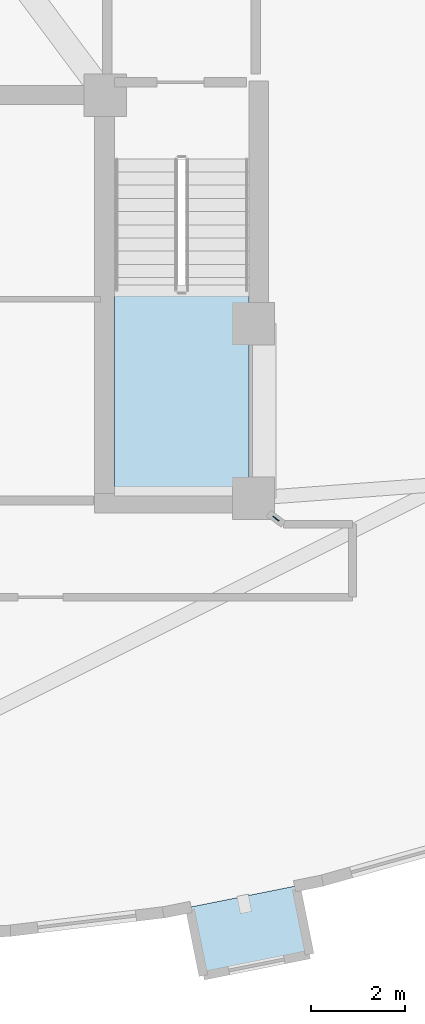
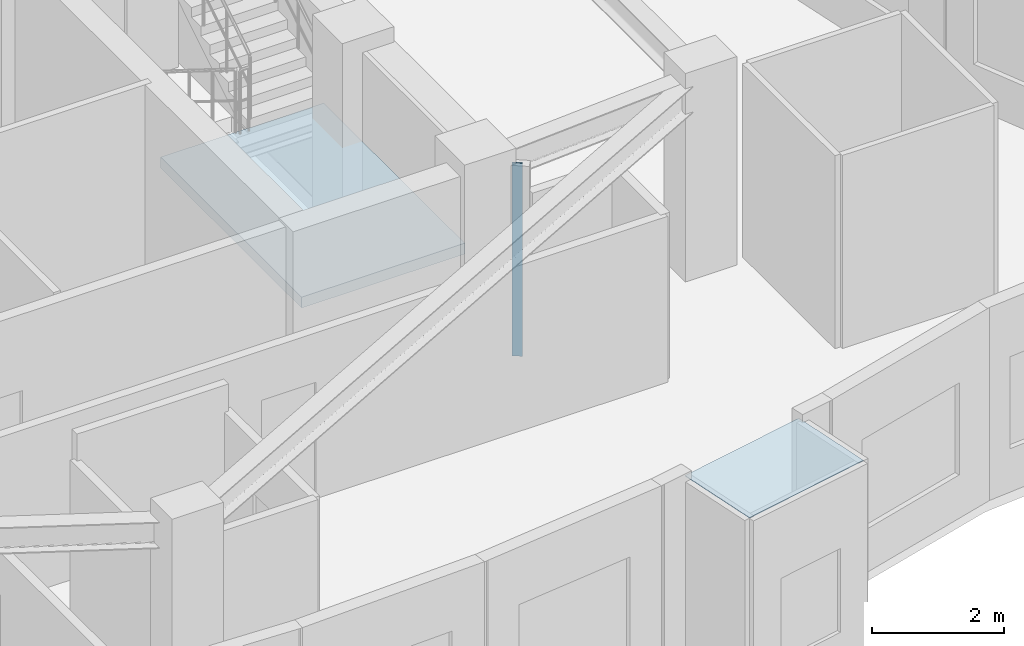
# One storey, part 9 of 16: 2 plates, 1 slab, 1 element without a shape of its own.
"""IFC4 building model written with IfcOpenShell, lengths in metres."""

import ifcopenshell
import ifcopenshell.guid

model = None  # the IFC model being written
_history = None  # IfcOwnerHistory: only IFC2X3 demands one
_inside = {}  # id of a spatial element -> (the spatial element, [elements in it])
_under = {}  # id of a project, library or spatial element -> (it, [spatial elements below it])
_declared = {}  # id of a project -> (the project, [libraries it declares])
_typed = {}  # id of a type object -> (the type object, [elements of that type])
_made_of = {}  # id of a material, layer set ... -> (it, [elements and type objects made of it])


def new_model(schema):
    """Start an empty IFC model of exactly this schema.

    Asked for "IFC4X3", IfcOpenShell would pick the latest addendum, in which some entities
    have other attributes; the version numbers below select the first issue.
    IFC2X3 requires an IfcOwnerHistory on every rooted entity: one is made here for all.
    """
    global model, _history
    if schema == "IFC4X3":
        model = ifcopenshell.file(schema_version=(4, 3, 0, 0))
    else:
        model = ifcopenshell.file(schema=schema)
    _inside.clear()
    _under.clear()
    _declared.clear()
    _typed.clear()
    _made_of.clear()
    _history = None
    if model.schema == "IFC2X3":
        org = make("IfcOrganization", Name="unknown")
        user = make(
            "IfcPersonAndOrganization",
            ThePerson=make("IfcPerson", FamilyName="unknown"),
            TheOrganization=org,
        )
        app = make(
            "IfcApplication",
            ApplicationDeveloper=org,
            Version="unknown",
            ApplicationFullName="unknown",
            ApplicationIdentifier="unknown",
        )
        _history = make(
            "IfcOwnerHistory",
            OwningUser=user,
            OwningApplication=app,
            ChangeAction="ADDED",
            CreationDate=0,
        )
    return model


def make(cls, **values):
    """One entity of the class cls with the attributes given. An attribute that is None is left unset."""
    return model.create_entity(
        cls, **{name: value for name, value in values.items() if value is not None}
    )


def rooted(cls, **values):
    """An entity with a GlobalId (a new one), such as an element, a storey or a relation."""
    return make(cls, GlobalId=ifcopenshell.guid.new(), OwnerHistory=_history, **values)


def si_unit(unit_type, name, prefix=None):
    """IfcSIUnit, for example si_unit("LENGTHUNIT", "METRE", prefix="MILLI")."""
    return make("IfcSIUnit", UnitType=unit_type, Prefix=prefix, Name=name)


def assignment(units):
    """IfcUnitAssignment: the units of a project."""
    return None if units is None else make("IfcUnitAssignment", Units=units)


def point(xyz):
    """IfcCartesianPoint."""
    return None if xyz is None else make("IfcCartesianPoint", Coordinates=xyz)


def direction(xyz):
    """IfcDirection."""
    return None if xyz is None else make("IfcDirection", DirectionRatios=xyz)


def frame(location, z_axis=None, x_axis=None):
    """IfcAxis2Placement3D, a coordinate frame: its origin and axes. An axis left out is left unset."""
    return make(
        "IfcAxis2Placement3D",
        Location=point(location),
        Axis=direction(z_axis),
        RefDirection=direction(x_axis),
    )


def frame_2d(location, x_axis=None):
    """IfcAxis2Placement2D, a coordinate frame in the plane: its origin and x axis."""
    return make(
        "IfcAxis2Placement2D", Location=point(location), RefDirection=direction(x_axis)
    )


def origin():
    """The frame at (0, 0, 0) with its axes left unset."""
    return frame((0.0, 0.0, 0.0))


def origin_2d():
    """The frame at (0, 0) in the plane with its x axis left unset."""
    return frame_2d((0.0, 0.0))


def place(relative_to, where):
    """IfcLocalPlacement: puts the frame where relative to a parent placement (None: the world)."""
    return make(
        "IfcLocalPlacement", PlacementRelTo=relative_to, RelativePlacement=where
    )


def context(
    kind, dimensions, precision=None, world=None, true_north=None, identifier=None
):
    """IfcGeometricRepresentationContext, for example the 3D "Model" context."""
    return make(
        "IfcGeometricRepresentationContext",
        ContextIdentifier=identifier,
        ContextType=kind,
        CoordinateSpaceDimension=dimensions,
        Precision=precision,
        WorldCoordinateSystem=world,
        TrueNorth=true_north,
    )


def subcontext(parent, identifier, kind, view, scale=None):
    """IfcGeometricRepresentationSubContext, for example "Body" below "Model"."""
    return make(
        "IfcGeometricRepresentationSubContext",
        ContextIdentifier=identifier,
        ContextType=kind,
        ParentContext=parent,
        TargetScale=scale,
        TargetView=view,
    )


def project(units=None, contexts=None):
    """IfcProject with its units and contexts."""
    return rooted(
        "IfcProject",
        Name="project",
        RepresentationContexts=contexts,
        UnitsInContext=assignment(units),
    )


def spatial(cls, under=None, at=None, **own):
    """A site, building, storey or space (cls), placed at a placement, below another one or the project."""
    s = rooted(cls, ObjectPlacement=at, **own)
    if under is not None:
        _under.setdefault(under.id(), (under, []))[1].append(s)
    return s


def polyline(points):
    """IfcPolyline through the points."""
    return make("IfcPolyline", Points=[point(p) for p in points])


def profile(cls, at=None, kind="AREA", **sizes):
    """A parametric profile (cls). Its sizes go by their IFC names, for example OverallWidth=200.0."""
    return make(cls, ProfileType=kind, Position=at, **sizes)


def rectangle(**sizes):
    """IfcRectangleProfileDef."""
    return profile("IfcRectangleProfileDef", **sizes)


def outline(outer, holes=None, kind="AREA"):
    """IfcArbitraryClosedProfileDef: a profile drawn as a closed curve; with holes, ...WithVoids."""
    if holes is None:
        return make("IfcArbitraryClosedProfileDef", ProfileType=kind, OuterCurve=outer)
    return make(
        "IfcArbitraryProfileDefWithVoids",
        ProfileType=kind,
        OuterCurve=outer,
        InnerCurves=holes,
    )


def extrude(swept, where, along, depth):
    """IfcExtrudedAreaSolid: the profile swept, set in the frame where, extruded along a direction by depth."""
    return make(
        "IfcExtrudedAreaSolid",
        SweptArea=swept,
        Position=where,
        ExtrudedDirection=direction(along),
        Depth=depth,
    )


def shape(context_of_items, identifier, shape_type, items):
    """IfcShapeRepresentation: the items that make up one representation, for example the "Body"."""
    return make(
        "IfcShapeRepresentation",
        ContextOfItems=context_of_items,
        RepresentationIdentifier=identifier,
        RepresentationType=shape_type,
        Items=items,
    )


def material(Name=None, Category=None):
    """IfcMaterial."""
    return make("IfcMaterial", Name=Name, Category=Category)


def layer(
    of_material, thickness, ventilated=None, Name=None, Category=None, Priority=None
):
    """IfcMaterialLayer: one layer of a wall or slab, of a material (None: an air gap)."""
    return make(
        "IfcMaterialLayer",
        Material=of_material,
        LayerThickness=thickness,
        IsVentilated=ventilated,
        Name=Name,
        Category=Category,
        Priority=Priority,
    )


def layer_set(layers, Name=None):
    """IfcMaterialLayerSet."""
    return make("IfcMaterialLayerSet", MaterialLayers=layers, LayerSetName=Name)


def made_of(thing, what):
    """Note that an element or type object is made of a material, layer set ...; save() writes the relation."""
    if what is not None:
        _made_of.setdefault(what.id(), (what, []))[1].append(thing)
    return thing


def type_object(cls, material=None, **own):
    """A type object (cls), such as IfcWallType, which elements share."""
    return made_of(rooted(cls, **own), material)


def element(
    cls,
    number,
    at=None,
    inside=None,
    cuts=None,
    type_object=None,
    material=None,
    context=None,
    identifier="Body",
    shape_type=None,
    held_by="IfcProductDefinitionShape",
    body=None,
    shapes=None,
    **own,
):
    """One element of the class cls, such as IfcWall. Its Tag is "e" and its number.

    at: its placement. inside: the storey or other place that contains it. cuts: it is an
    opening in that element (IfcRelVoidsElement). A single representation is given by context,
    identifier, shape_type and body (its items); several are given by shapes. held_by: the class
    of the entity that holds the representations. save() writes the other relations.
    """
    e = rooted(cls, Tag="e%d" % number, ObjectPlacement=at, **own)
    if body is not None:
        shapes = [shape(context, identifier, shape_type, body)]
    if shapes is not None:
        e.Representation = make(held_by, Representations=shapes)
    if inside is not None:
        _inside.setdefault(inside.id(), (inside, []))[1].append(e)
    if cuts is not None:
        rooted(
            "IfcRelVoidsElement", RelatingBuildingElement=cuts, RelatedOpeningElement=e
        )
    if type_object is not None:
        _typed.setdefault(type_object.id(), (type_object, []))[1].append(e)
    return made_of(e, material)


def aggregate(whole, parts):
    """IfcRelAggregates: a whole, such as a stair, and the parts it consists of."""
    return rooted("IfcRelAggregates", RelatingObject=whole, RelatedObjects=parts)


def save(model, path):
    """Write the relations noted so far, then the file.

    IfcRelAggregates (storeys below a building ...), IfcRelContainedInSpatialStructure (elements
    in a storey), IfcRelDefinesByType, IfcRelAssociatesMaterial and IfcRelDeclares: one each for
    every whole, place, type object, material and project.
    """
    for whole, parts in _under.values():
        aggregate(whole, parts)
    for where, things in _inside.values():
        rooted(
            "IfcRelContainedInSpatialStructure",
            RelatedElements=things,
            RelatingStructure=where,
        )
    for kind, things in _typed.values():
        rooted("IfcRelDefinesByType", RelatedObjects=things, RelatingType=kind)
    for what, things in _made_of.values():
        rooted("IfcRelAssociatesMaterial", RelatedObjects=things, RelatingMaterial=what)
    for by, libraries in _declared.values():
        rooted("IfcRelDeclares", RelatingContext=by, RelatedDefinitions=libraries)
    model.write(path)


model = new_model("IFC4")

# Units and contexts
model_context = context("Model", 3, precision=1e-05, world=origin(), true_north=direction((0.0, 1.0)))
body_context = subcontext(model_context, "Body", "Model", "MODEL_VIEW")
ifc_project = project(units=[si_unit("LENGTHUNIT", "METRE"), si_unit("AREAUNIT", "SQUARE_METRE"), si_unit("VOLUMEUNIT", "CUBIC_METRE"), si_unit("PLANEANGLEUNIT", "RADIAN"), si_unit("MASSUNIT", "GRAM", prefix="KILO")], contexts=[model_context])

# Site, building, storey
site_placement = place(None, origin())
site = spatial("IfcSite", under=ifc_project, at=site_placement, CompositionType="ELEMENT")
building_placement = place(site_placement, origin())
building = spatial("IfcBuilding", under=site, at=building_placement, Name="Miruveldt Soraemaru", CompositionType="ELEMENT")
storey_placement = place(building_placement, frame((0.0, 0.0, 271.25)))
storey = spatial("IfcBuildingStorey", under=building, at=storey_placement, Name="L74", CompositionType="ELEMENT", Elevation=271.25)

# Plates
ifc_material_1 = material(Name="Anodised aluminium EN AW-6063 T6", Category="aluminium")
ifc_layer_1 = layer(ifc_material_1, 0.02001953125, Name="Anodised aluminium EN AW-6063 T6", Category="aluminium")
ifc_layer_set_1 = layer_set([ifc_layer_1], Name="Anodised aluminium EN AW-6063 T6")
plate_type_1 = type_object("IfcPlateType", Name="PLT-PART-TRIM", PredefinedType="SHEET", material=ifc_layer_set_1)
plate_1_placement = place(storey_placement, frame((52.9765625, 35.06494140625, 0.0), z_axis=(0.0, 0.0, 1.0), x_axis=(-0.805824944182, 0.592153830802, 0.0)))
element("IfcPlate", 1, at=plate_1_placement, inside=storey, type_object=plate_type_1, Name="L74 Partition Step Corner Trim Plate 004", PredefinedType="SHEET", context=body_context, shape_type="SweptSolid", body=[
    extrude(rectangle(XDim=0.159912109375, YDim=0.02001953125, at=origin_2d()), origin(), (0.0, 0.0, 1.0), 3.56494140625),
])
ifc_material_2 = material(Name="Standing-seam titanium-zinc sheet", Category="aluminium")
ifc_layer_2 = layer(ifc_material_2, 0.011962890625, Name="Standing-seam titanium-zinc sheet", Category="aluminium")
ifc_layer_set_2 = layer_set([ifc_layer_2], Name="Standing-seam titanium-zinc sheet")
plate_type_2 = type_object("IfcPlateType", Name="PLT-ZINC-12", PredefinedType="SHEET", material=ifc_layer_set_2)
plate_2_placement = place(storey_placement, frame((0.0, 0.0, 3.4150390625)))
element("IfcPlate", 2, at=plate_2_placement, inside=storey, type_object=plate_type_2, Name="L74 Bay Window Zinc Hood Sheet 2", PredefinedType="SHEET", context=body_context, shape_type="SweptSolid", body=[
    extrude(outline(polyline([(51.147705078125, 26.821533203125), (53.398193359375, 27.271484375), (53.688232421875, 25.8203125), (51.43798828125, 25.3701171875), (51.147705078125, 26.821533203125)])), origin(), (0.0, 0.0, 1.0), 0.011962890625),
])

# Stair, slab
ifc_material_3 = material(Name="Concrete C40/50 (40 MPa)", Category="concrete")
stair_type = type_object("IfcStairType", Name="STAIR-DL-385", PredefinedType="HALF_TURN_STAIR", material=ifc_material_3)
stair_placement = place(storey_placement, origin())
stair = element("IfcStair", 3, at=stair_placement, inside=storey, type_object=stair_type, Name="L74 Protected Exit Stair ST-2", PredefinedType="HALF_TURN_STAIR")
ifc_layer_3 = layer(ifc_material_3, 0.199951171875, Name="Concrete C40/50 (40 MPa)", Category="concrete")
ifc_layer_set_3 = layer_set([ifc_layer_3], Name="Concrete C40/50 (40 MPa)")
slab_type = type_object("IfcSlabType", Name="SLAB-LAND-200", PredefinedType="LANDING", material=ifc_layer_set_3)
slab_placement = place(storey_placement, frame((0.0, 0.0, 1.72509765625)))
slab = element("IfcSlab", 4, at=slab_placement, type_object=slab_type, Name="ST-2 landing 1", PredefinedType="LANDING", context=body_context, shape_type="SweptSolid", body=[
    extrude(outline(polyline([(49.550048828125, 39.91796875), (49.550048828125, 35.64990234375), (52.39990234375, 35.64990234375), (52.39990234375, 39.91796875), (49.550048828125, 39.91796875)])), origin(), (0.0, 0.0, 1.0), 0.199951171875),
])
aggregate(stair, [slab])

save(model, "model.ifc")
